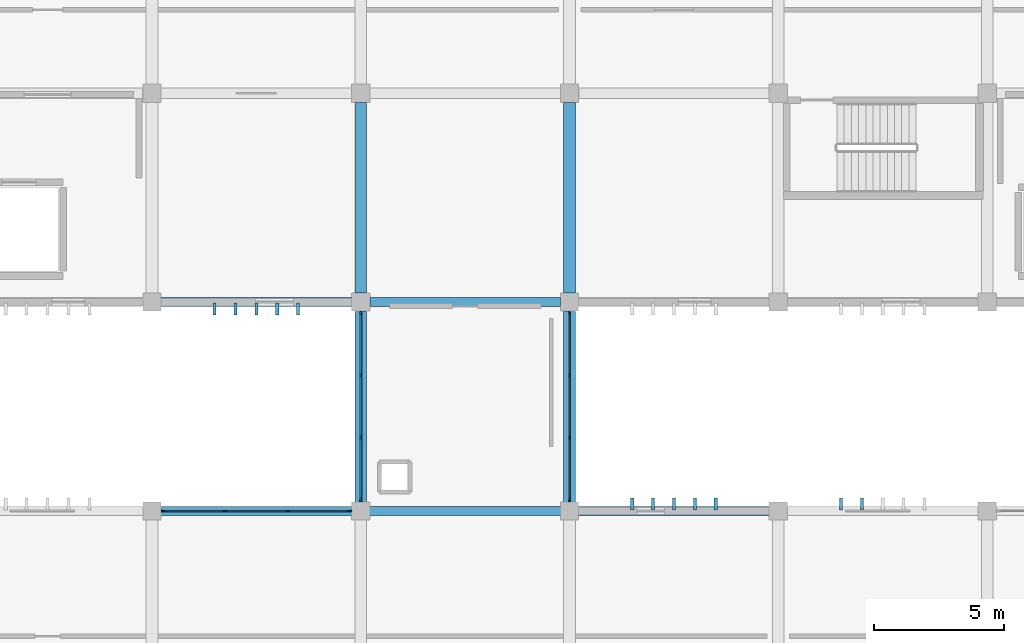
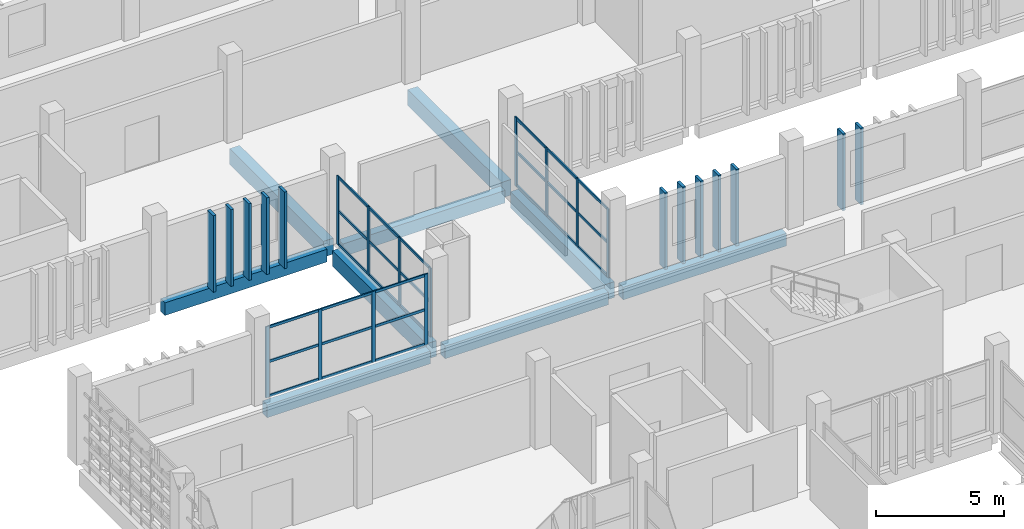
# One storey, part 60 of 137: 51 members, 9 beams, 3 elements without a shape of their own.
"""IFC4 building model written with IfcOpenShell, lengths in metres."""

from ifc_helpers import new_model, si_unit, direction, frame, origin, origin_2d, place, context, subcontext, project, spatial, rectangle, extrude, material, layer, layer_set, material_profile, profile_set, type_object, element, aggregate, save


model = new_model("IFC4")

# Units and contexts
model_context = context("Model", 3, precision=1e-05, world=origin(), true_north=direction((0.0, 1.0)))
body_context = subcontext(model_context, "Body", "Model", "MODEL_VIEW")
ifc_project = project(units=[si_unit("LENGTHUNIT", "METRE"), si_unit("AREAUNIT", "SQUARE_METRE"), si_unit("VOLUMEUNIT", "CUBIC_METRE"), si_unit("PLANEANGLEUNIT", "RADIAN"), si_unit("MASSUNIT", "GRAM", prefix="KILO")], contexts=[model_context])

# Site, building, storey
site_placement = place(None, origin())
site = spatial("IfcSite", under=ifc_project, at=site_placement, CompositionType="ELEMENT")
building_placement = place(site_placement, origin())
building = spatial("IfcBuilding", under=site, at=building_placement, Name="Jelvoka-Kovrelna Polytechnic", CompositionType="ELEMENT")
storey_placement = place(building_placement, frame((0.0, 0.0, 9.60009765625)))
storey = spatial("IfcBuildingStorey", under=building, at=storey_placement, Name="L03", CompositionType="ELEMENT", Elevation=9.60009765625)

# Beams
ifc_material_1 = material(Name="Concrete C40/50", Category="concrete")
ifc_material_profile_1 = material_profile(ifc_material_1, rectangle(XDim=0.449951171875, YDim=0.75, at=origin_2d()), Name="RC 450x750")
ifc_profile_set_1 = profile_set([ifc_material_profile_1], Name="Concrete C40/50")
beam_type_1 = type_object("IfcBeamType", Name="Beam_RC_450x750", PredefinedType="BEAM", material=ifc_profile_set_1)
for number, where, z_axis, x_axis, name in (
    (1, (144.0, 56.35498046875, -0.64013671875), (0.0, 1.0, 0.0), (-1.0, 0.0, 0.0), "L03 beam 1074"),
    (2, (152.0, 56.35498046875, -0.64013671875), (0.0, 1.0, 0.0), (-1.0, 0.0, 0.0), "L03 beam 1076"),
):
    element("IfcBeam", number, at=place(storey_placement, frame(where, z_axis=z_axis, x_axis=x_axis)), inside=storey, type_object=beam_type_1, Name=name, PredefinedType="BEAM", context=body_context, shape_type="SweptSolid", body=[
        extrude(rectangle(XDim=0.449951171875, YDim=0.75, at=origin_2d()), origin(), (0.0, 0.0, 1.0), 7.2900390625),
    ])
for number, where, z_axis, x_axis, name in (
    (3, (144.0, 48.330078125, -0.64013671875), (0.0, 1.0, 0.0), (-1.0, 0.0, 0.0), "L03 beam 1110"),
    (4, (152.0, 48.330078125, -0.64013671875), (0.0, 1.0, 0.0), (-1.0, 0.0, 0.0), "L03 beam 1111"),
):
    element("IfcBeam", number, at=place(storey_placement, frame(where, z_axis=z_axis, x_axis=x_axis)), inside=storey, type_object=beam_type_1, Name=name, PredefinedType="BEAM", context=body_context, shape_type="SweptSolid", body=[
        extrude(rectangle(XDim=0.449951171875, YDim=0.75, at=origin_2d()), origin(), (0.0, 0.0, 1.0), 7.31494140625),
    ])

# Members
ifc_material_2 = material(Name="Precast concrete C40/50", Category="concrete")
ifc_material_profile_2 = material_profile(ifc_material_2, rectangle(XDim=0.1201171875, YDim=0.449951171875, at=origin_2d()), Name="PC 120x450")
ifc_profile_set_2 = profile_set([ifc_material_profile_2], Name="Precast concrete C40/50")
member_type_1 = type_object("IfcMemberType", Name="Louvre_Fin_120x450", PredefinedType="USERDEFINED", material=ifc_profile_set_2)
for number, where, z_axis, x_axis, name in (
    (5, (154.39990234375, 48.264892578125, -0.27001953125), (0.0, 0.0, 1.0), (1.0, 0.0, 0.0), "L03 B2E north vertical solar louvre fin 0956"),
    (6, (155.199951171875, 48.264892578125, -0.27001953125), (0.0, 0.0, 1.0), (1.0, 0.0, 0.0), "L03 B2E north vertical solar louvre fin 0957"),
    (7, (156.0, 48.264892578125, -0.27001953125), (0.0, 0.0, 1.0), (1.0, 0.0, 0.0), "L03 B2E north vertical solar louvre fin 0958"),
    (8, (156.800048828125, 48.264892578125, -0.27001953125), (0.0, 0.0, 1.0), (1.0, 0.0, 0.0), "L03 B2E north vertical solar louvre fin 0959"),
    (9, (157.60009765625, 48.264892578125, -0.27001953125), (0.0, 0.0, 1.0), (1.0, 0.0, 0.0), "L03 B2E north vertical solar louvre fin 0960"),
    (10, (162.39990234375, 48.264892578125, -0.27001953125), (0.0, 0.0, 1.0), (1.0, 0.0, 0.0), "L03 B2E north vertical solar louvre fin 0961"),
    (11, (163.199951171875, 48.264892578125, -0.27001953125), (0.0, 0.0, 1.0), (1.0, 0.0, 0.0), "L03 B2E north vertical solar louvre fin 0962"),
    (12, (138.39990234375, 55.735107421875, -0.27001953125), (0.0, 0.0, 1.0), (1.0, 0.0, 0.0), "L03 B3 south vertical solar louvre fin 1556"),
    (13, (139.199951171875, 55.735107421875, -0.27001953125), (0.0, 0.0, 1.0), (1.0, 0.0, 0.0), "L03 B3 south vertical solar louvre fin 1557"),
    (14, (140.0, 55.735107421875, -0.27001953125), (0.0, 0.0, 1.0), (1.0, 0.0, 0.0), "L03 B3 south vertical solar louvre fin 1558"),
    (15, (140.800048828125, 55.735107421875, -0.27001953125), (0.0, 0.0, 1.0), (1.0, 0.0, 0.0), "L03 B3 south vertical solar louvre fin 1559"),
    (16, (141.60009765625, 55.735107421875, -0.27001953125), (0.0, 0.0, 1.0), (1.0, 0.0, 0.0), "L03 B3 south vertical solar louvre fin 1560"),
):
    element("IfcMember", number, at=place(storey_placement, frame(where, z_axis=z_axis, x_axis=x_axis)), inside=storey, type_object=member_type_1, Name=name, ObjectType="SUNSHADE", PredefinedType="USERDEFINED", context=body_context, shape_type="SweptSolid", body=[
        extrude(rectangle(XDim=0.1201171875, YDim=0.449951171875, at=origin_2d()), origin(), (0.0, 0.0, 1.0), 3.64501953125),
    ])

# Curtain wall, members
ifc_material_3 = material(Name="Anodised aluminium 6063-T6", Category="aluminium")
ifc_layer_1 = layer(ifc_material_3, 0.159912109375)
ifc_layer_set_1 = layer_set([ifc_layer_1], Name="Anodised aluminium 6063-T6")
curtain_wall_type_1 = type_object("IfcCurtainWallType", Name="CW_Recessed_A", PredefinedType="NOTDEFINED", material=ifc_layer_set_1)
curtain_wall_1_placement = place(storey_placement, origin())
curtain_wall_1 = element("IfcCurtainWall", 17, at=curtain_wall_1_placement, inside=storey, type_object=curtain_wall_type_1, Name="L03 glazed curtain wall 055", PredefinedType="NOTDEFINED")
ifc_material_4 = material(Name="Anodised aluminium 6063-T6", Category="aluminium")
ifc_material_profile_3 = material_profile(ifc_material_4, rectangle(XDim=0.06005859375, YDim=0.159912109375, at=origin_2d()), Name="ALU 60x160")
ifc_profile_set_3 = profile_set([ifc_material_profile_3], Name="Anodised aluminium 6063-T6")
member_type_2 = type_object("IfcMemberType", Name="Mullion_M-01", PredefinedType="MULLION", material=ifc_profile_set_3)
member_1_placement = place(storey_placement, frame((136.429931640625, 48.0, -0.02490234375), z_axis=(0.0, 0.0, 1.0), x_axis=(0.0, 1.0, 0.0)))
member_1 = element("IfcMember", 18, at=member_1_placement, type_object=member_type_2, Name="CW-01 mullion 1", PredefinedType="MULLION", context=body_context, shape_type="SweptSolid", body=[
    extrude(rectangle(XDim=0.06005859375, YDim=0.159912109375, at=origin_2d()), origin(), (0.0, 0.0, 1.0), 3.375),
])
member_2_placement = place(storey_placement, frame((138.800048828125, 48.0, -0.02490234375), z_axis=(0.0, 0.0, 1.0), x_axis=(0.0, 1.0, 0.0)))
member_2 = element("IfcMember", 19, at=member_2_placement, type_object=member_type_2, Name="CW-01 mullion 2", PredefinedType="MULLION", context=body_context, shape_type="SweptSolid", body=[
    extrude(rectangle(XDim=0.06005859375, YDim=0.159912109375, at=origin_2d()), origin(), (0.0, 0.0, 1.0), 3.375),
])
member_3_placement = place(storey_placement, frame((141.199951171875, 48.0, -0.02490234375), z_axis=(0.0, 0.0, 1.0), x_axis=(0.0, 1.0, 0.0)))
member_3 = element("IfcMember", 20, at=member_3_placement, type_object=member_type_2, Name="CW-01 mullion 3", PredefinedType="MULLION", context=body_context, shape_type="SweptSolid", body=[
    extrude(rectangle(XDim=0.06005859375, YDim=0.159912109375, at=origin_2d()), origin(), (0.0, 0.0, 1.0), 3.375),
])
member_4_placement = place(storey_placement, frame((143.570068359375, 48.0, -0.02490234375), z_axis=(0.0, 0.0, 1.0), x_axis=(0.0, 1.0, 0.0)))
member_4 = element("IfcMember", 21, at=member_4_placement, type_object=member_type_2, Name="CW-01 mullion 4", PredefinedType="MULLION", context=body_context, shape_type="SweptSolid", body=[
    extrude(rectangle(XDim=0.06005859375, YDim=0.159912109375, at=origin_2d()), origin(), (0.0, 0.0, 1.0), 3.375),
])

ifc_material_5 = material(Name="Anodised aluminium 6063-T6", Category="aluminium")
ifc_layer_2 = layer(ifc_material_5, 0.159912109375)
ifc_layer_set_2 = layer_set([ifc_layer_2], Name="Anodised aluminium 6063-T6")
curtain_wall_type_2 = type_object("IfcCurtainWallType", Name="CW_LinkBridge", PredefinedType="NOTDEFINED", material=ifc_layer_set_2)
curtain_wall_2_placement = place(storey_placement, origin())
curtain_wall_2 = element("IfcCurtainWall", 22, at=curtain_wall_2_placement, inside=storey, type_object=curtain_wall_type_2, Name="L03 glazed curtain wall 120", PredefinedType="NOTDEFINED")
ifc_material_6 = material(Name="Anodised aluminium 6063-T6", Category="aluminium")
ifc_material_profile_4 = material_profile(ifc_material_6, rectangle(XDim=0.06005859375, YDim=0.159912109375, at=origin_2d()), Name="ALU 60x160")
ifc_profile_set_4 = profile_set([ifc_material_profile_4], Name="Anodised aluminium 6063-T6")
member_type_3 = type_object("IfcMemberType", Name="Mullion_M-04", PredefinedType="MULLION", material=ifc_profile_set_4)
member_5_placement = place(storey_placement, frame((144.0, 48.429931640625, -0.02490234375), z_axis=(0.0, 0.0, 1.0), x_axis=(-1.0, 0.0, 0.0)))
member_5 = element("IfcMember", 23, at=member_5_placement, type_object=member_type_3, Name="CW-04 mullion 1", PredefinedType="MULLION", context=body_context, shape_type="SweptSolid", body=[
    extrude(rectangle(XDim=0.06005859375, YDim=0.159912109375, at=origin_2d()), origin(), (0.0, 0.0, 1.0), 3.27490234375),
])
member_6_placement = place(storey_placement, frame((144.0, 50.800048828125, -0.02490234375), z_axis=(0.0, 0.0, 1.0), x_axis=(-1.0, 0.0, 0.0)))
member_6 = element("IfcMember", 24, at=member_6_placement, type_object=member_type_3, Name="CW-04 mullion 2", PredefinedType="MULLION", context=body_context, shape_type="SweptSolid", body=[
    extrude(rectangle(XDim=0.06005859375, YDim=0.159912109375, at=origin_2d()), origin(), (0.0, 0.0, 1.0), 3.27490234375),
])
member_7_placement = place(storey_placement, frame((144.0, 53.199951171875, -0.02490234375), z_axis=(0.0, 0.0, 1.0), x_axis=(-1.0, 0.0, 0.0)))
member_7 = element("IfcMember", 25, at=member_7_placement, type_object=member_type_3, Name="CW-04 mullion 3", PredefinedType="MULLION", context=body_context, shape_type="SweptSolid", body=[
    extrude(rectangle(XDim=0.06005859375, YDim=0.159912109375, at=origin_2d()), origin(), (0.0, 0.0, 1.0), 3.27490234375),
])
member_8_placement = place(storey_placement, frame((144.0, 55.570068359375, -0.02490234375), z_axis=(0.0, 0.0, 1.0), x_axis=(-1.0, 0.0, 0.0)))
member_8 = element("IfcMember", 26, at=member_8_placement, type_object=member_type_3, Name="CW-04 mullion 4", PredefinedType="MULLION", context=body_context, shape_type="SweptSolid", body=[
    extrude(rectangle(XDim=0.06005859375, YDim=0.159912109375, at=origin_2d()), origin(), (0.0, 0.0, 1.0), 3.27490234375),
])

curtain_wall_3_placement = place(storey_placement, origin())
curtain_wall_3 = element("IfcCurtainWall", 27, at=curtain_wall_3_placement, inside=storey, type_object=curtain_wall_type_2, Name="L03 glazed curtain wall 121", PredefinedType="NOTDEFINED")
member_9_placement = place(storey_placement, frame((152.0, 55.570068359375, -0.02490234375), z_axis=(0.0, 0.0, 1.0), x_axis=(1.0, 0.0, 0.0)))
member_9 = element("IfcMember", 28, at=member_9_placement, type_object=member_type_3, Name="CW-04 mullion 1", PredefinedType="MULLION", context=body_context, shape_type="SweptSolid", body=[
    extrude(rectangle(XDim=0.06005859375, YDim=0.159912109375, at=origin_2d()), origin(), (0.0, 0.0, 1.0), 3.27490234375),
])
member_10_placement = place(storey_placement, frame((152.0, 53.199951171875, -0.02490234375), z_axis=(0.0, 0.0, 1.0), x_axis=(1.0, 0.0, 0.0)))
member_10 = element("IfcMember", 29, at=member_10_placement, type_object=member_type_3, Name="CW-04 mullion 2", PredefinedType="MULLION", context=body_context, shape_type="SweptSolid", body=[
    extrude(rectangle(XDim=0.06005859375, YDim=0.159912109375, at=origin_2d()), origin(), (0.0, 0.0, 1.0), 3.27490234375),
])
member_11_placement = place(storey_placement, frame((152.0, 50.800048828125, -0.02490234375), z_axis=(0.0, 0.0, 1.0), x_axis=(1.0, 0.0, 0.0)))
member_11 = element("IfcMember", 30, at=member_11_placement, type_object=member_type_3, Name="CW-04 mullion 3", PredefinedType="MULLION", context=body_context, shape_type="SweptSolid", body=[
    extrude(rectangle(XDim=0.06005859375, YDim=0.159912109375, at=origin_2d()), origin(), (0.0, 0.0, 1.0), 3.27490234375),
])
member_12_placement = place(storey_placement, frame((152.0, 48.429931640625, -0.02490234375), z_axis=(0.0, 0.0, 1.0), x_axis=(1.0, 0.0, 0.0)))
member_12 = element("IfcMember", 31, at=member_12_placement, type_object=member_type_3, Name="CW-04 mullion 4", PredefinedType="MULLION", context=body_context, shape_type="SweptSolid", body=[
    extrude(rectangle(XDim=0.06005859375, YDim=0.159912109375, at=origin_2d()), origin(), (0.0, 0.0, 1.0), 3.27490234375),
])

# Beams
ifc_material_7 = material(Name="Concrete C40/50", Category="concrete")
ifc_material_profile_5 = material_profile(ifc_material_7, rectangle(XDim=0.35009765625, YDim=0.60009765625, at=origin_2d()), Name="RC 350x600")
ifc_profile_set_5 = profile_set([ifc_material_profile_5], Name="Concrete C40/50")
beam_type_2 = type_object("IfcBeamType", Name="Spandrel_RC_350x600", PredefinedType="SPANDREL", material=ifc_profile_set_5)
for number, where, z_axis, x_axis, name in (
    (32, (136.330078125, 48.0, -0.565185546875), (1.0, 0.0, 0.0), (0.0, 1.0, 0.0), "L03 beam 0976"),
    (33, (144.330078125, 48.0, -0.565185546875), (1.0, 0.0, 0.0), (0.0, 1.0, 0.0), "L03 beam 0977"),
    (34, (152.330078125, 48.0, -0.565185546875), (1.0, 0.0, 0.0), (0.0, 1.0, 0.0), "L03 beam 0978"),
):
    element("IfcBeam", number, at=place(storey_placement, frame(where, z_axis=z_axis, x_axis=x_axis)), inside=storey, type_object=beam_type_2, Name=name, PredefinedType="SPANDREL", context=body_context, shape_type="SweptSolid", body=[
        extrude(rectangle(XDim=0.35009765625, YDim=0.60009765625, at=origin_2d()), origin(), (0.0, 0.0, 1.0), 7.33984375),
    ])
for number, where, z_axis, x_axis, name in (
    (35, (136.35498046875, 56.0, -0.565185546875), (1.0, 0.0, 0.0), (0.0, 1.0, 0.0), "L03 beam 1043"),
    (36, (144.35498046875, 56.0, -0.565185546875), (1.0, 0.0, 0.0), (0.0, 1.0, 0.0), "L03 beam 1044"),
):
    element("IfcBeam", number, at=place(storey_placement, frame(where, z_axis=z_axis, x_axis=x_axis)), inside=storey, type_object=beam_type_2, Name=name, PredefinedType="SPANDREL", context=body_context, shape_type="SweptSolid", body=[
        extrude(rectangle(XDim=0.35009765625, YDim=0.60009765625, at=origin_2d()), origin(), (0.0, 0.0, 1.0), 7.2900390625),
    ])

# Member
ifc_material_8 = material(Name="Anodised aluminium 6063-T6", Category="aluminium")
ifc_material_profile_6 = material_profile(ifc_material_8, rectangle(XDim=0.06005859375, YDim=0.1201171875, at=origin_2d()), Name="ALU 60x120")
ifc_profile_set_6 = profile_set([ifc_material_profile_6], Name="Anodised aluminium 6063-T6")
member_type_4 = type_object("IfcMemberType", Name="Transom_T-01", PredefinedType="USERDEFINED", material=ifc_profile_set_6)
member_13_placement = place(storey_placement, frame((136.4599609375, 48.0, 0.02978515625), z_axis=(1.0, 0.0, 0.0), x_axis=(0.0, 1.0, 0.0)))
member_13 = element("IfcMember", 37, at=member_13_placement, type_object=member_type_4, Name="CW-01 transom 1.1", ObjectType="TRANSOM", PredefinedType="USERDEFINED", context=body_context, shape_type="SweptSolid", body=[
    extrude(rectangle(XDim=0.06005859375, YDim=0.1201171875, at=origin_2d()), origin(), (0.0, 0.0, 1.0), 2.31005859375),
])

member_14_placement = place(storey_placement, frame((136.4599609375, 48.0, 1.662353515625), z_axis=(1.0, 0.0, 0.0), x_axis=(0.0, 1.0, 0.0)))
member_14 = element("IfcMember", 38, at=member_14_placement, type_object=member_type_4, Name="CW-01 transom 1.2", ObjectType="TRANSOM", PredefinedType="USERDEFINED", context=body_context, shape_type="SweptSolid", body=[
    extrude(rectangle(XDim=0.06005859375, YDim=0.1201171875, at=origin_2d()), origin(), (0.0, 0.0, 1.0), 2.31005859375),
])

member_15_placement = place(storey_placement, frame((136.4599609375, 48.0, 3.294921875), z_axis=(1.0, 0.0, 0.0), x_axis=(0.0, 1.0, 0.0)))
member_15 = element("IfcMember", 39, at=member_15_placement, type_object=member_type_4, Name="CW-01 transom 1.3", ObjectType="TRANSOM", PredefinedType="USERDEFINED", context=body_context, shape_type="SweptSolid", body=[
    extrude(rectangle(XDim=0.06005859375, YDim=0.1201171875, at=origin_2d()), origin(), (0.0, 0.0, 1.0), 2.31005859375),
])

member_16_placement = place(storey_placement, frame((138.830078125, 48.0, 0.02978515625), z_axis=(1.0, 0.0, 0.0), x_axis=(0.0, 1.0, 0.0)))
member_16 = element("IfcMember", 40, at=member_16_placement, type_object=member_type_4, Name="CW-01 transom 2.1", ObjectType="TRANSOM", PredefinedType="USERDEFINED", context=body_context, shape_type="SweptSolid", body=[
    extrude(rectangle(XDim=0.06005859375, YDim=0.1201171875, at=origin_2d()), origin(), (0.0, 0.0, 1.0), 2.33984375),
])

member_17_placement = place(storey_placement, frame((138.830078125, 48.0, 1.662353515625), z_axis=(1.0, 0.0, 0.0), x_axis=(0.0, 1.0, 0.0)))
member_17 = element("IfcMember", 41, at=member_17_placement, type_object=member_type_4, Name="CW-01 transom 2.2", ObjectType="TRANSOM", PredefinedType="USERDEFINED", context=body_context, shape_type="SweptSolid", body=[
    extrude(rectangle(XDim=0.06005859375, YDim=0.1201171875, at=origin_2d()), origin(), (0.0, 0.0, 1.0), 2.33984375),
])

member_18_placement = place(storey_placement, frame((138.830078125, 48.0, 3.294921875), z_axis=(1.0, 0.0, 0.0), x_axis=(0.0, 1.0, 0.0)))
member_18 = element("IfcMember", 42, at=member_18_placement, type_object=member_type_4, Name="CW-01 transom 2.3", ObjectType="TRANSOM", PredefinedType="USERDEFINED", context=body_context, shape_type="SweptSolid", body=[
    extrude(rectangle(XDim=0.06005859375, YDim=0.1201171875, at=origin_2d()), origin(), (0.0, 0.0, 1.0), 2.33984375),
])

member_19_placement = place(storey_placement, frame((141.22998046875, 48.0, 0.02978515625), z_axis=(1.0, 0.0, 0.0), x_axis=(0.0, 1.0, 0.0)))
member_19 = element("IfcMember", 43, at=member_19_placement, type_object=member_type_4, Name="CW-01 transom 3.1", ObjectType="TRANSOM", PredefinedType="USERDEFINED", context=body_context, shape_type="SweptSolid", body=[
    extrude(rectangle(XDim=0.06005859375, YDim=0.1201171875, at=origin_2d()), origin(), (0.0, 0.0, 1.0), 2.31005859375),
])

member_20_placement = place(storey_placement, frame((141.22998046875, 48.0, 1.662353515625), z_axis=(1.0, 0.0, 0.0), x_axis=(0.0, 1.0, 0.0)))
member_20 = element("IfcMember", 44, at=member_20_placement, type_object=member_type_4, Name="CW-01 transom 3.2", ObjectType="TRANSOM", PredefinedType="USERDEFINED", context=body_context, shape_type="SweptSolid", body=[
    extrude(rectangle(XDim=0.06005859375, YDim=0.1201171875, at=origin_2d()), origin(), (0.0, 0.0, 1.0), 2.31005859375),
])

member_21_placement = place(storey_placement, frame((141.22998046875, 48.0, 3.294921875), z_axis=(1.0, 0.0, 0.0), x_axis=(0.0, 1.0, 0.0)))
member_21 = element("IfcMember", 45, at=member_21_placement, type_object=member_type_4, Name="CW-01 transom 3.3", ObjectType="TRANSOM", PredefinedType="USERDEFINED", context=body_context, shape_type="SweptSolid", body=[
    extrude(rectangle(XDim=0.06005859375, YDim=0.1201171875, at=origin_2d()), origin(), (0.0, 0.0, 1.0), 2.31005859375),
])

aggregate(curtain_wall_1, [member_1, member_2, member_3, member_4, member_13, member_14, member_15, member_16, member_17, member_18, member_19, member_20, member_21])

ifc_material_9 = material(Name="Anodised aluminium 6063-T6", Category="aluminium")
ifc_material_profile_7 = material_profile(ifc_material_9, rectangle(XDim=0.06005859375, YDim=0.1201171875, at=origin_2d()), Name="ALU 60x120")
ifc_profile_set_7 = profile_set([ifc_material_profile_7], Name="Anodised aluminium 6063-T6")
member_type_5 = type_object("IfcMemberType", Name="Transom_T-04", PredefinedType="USERDEFINED", material=ifc_profile_set_7)
member_22_placement = place(storey_placement, frame((144.0, 48.4599609375, 0.02978515625), z_axis=(0.0, 1.0, 0.0), x_axis=(-1.0, 0.0, 0.0)))
member_22 = element("IfcMember", 46, at=member_22_placement, type_object=member_type_5, Name="CW-04 transom 1.1", ObjectType="TRANSOM", PredefinedType="USERDEFINED", context=body_context, shape_type="SweptSolid", body=[
    extrude(rectangle(XDim=0.06005859375, YDim=0.1201171875, at=origin_2d()), origin(), (0.0, 0.0, 1.0), 2.31005859375),
])

member_23_placement = place(storey_placement, frame((144.0, 48.4599609375, 1.6123046875), z_axis=(0.0, 1.0, 0.0), x_axis=(-1.0, 0.0, 0.0)))
member_23 = element("IfcMember", 47, at=member_23_placement, type_object=member_type_5, Name="CW-04 transom 1.2", ObjectType="TRANSOM", PredefinedType="USERDEFINED", context=body_context, shape_type="SweptSolid", body=[
    extrude(rectangle(XDim=0.06005859375, YDim=0.1201171875, at=origin_2d()), origin(), (0.0, 0.0, 1.0), 2.31005859375),
])

member_24_placement = place(storey_placement, frame((144.0, 48.4599609375, 3.19482421875), z_axis=(0.0, 1.0, 0.0), x_axis=(-1.0, 0.0, 0.0)))
member_24 = element("IfcMember", 48, at=member_24_placement, type_object=member_type_5, Name="CW-04 transom 1.3", ObjectType="TRANSOM", PredefinedType="USERDEFINED", context=body_context, shape_type="SweptSolid", body=[
    extrude(rectangle(XDim=0.06005859375, YDim=0.1201171875, at=origin_2d()), origin(), (0.0, 0.0, 1.0), 2.31005859375),
])

member_25_placement = place(storey_placement, frame((144.0, 50.830078125, 0.02978515625), z_axis=(0.0, 1.0, 0.0), x_axis=(-1.0, 0.0, 0.0)))
member_25 = element("IfcMember", 49, at=member_25_placement, type_object=member_type_5, Name="CW-04 transom 2.1", ObjectType="TRANSOM", PredefinedType="USERDEFINED", context=body_context, shape_type="SweptSolid", body=[
    extrude(rectangle(XDim=0.06005859375, YDim=0.1201171875, at=origin_2d()), origin(), (0.0, 0.0, 1.0), 2.33984375),
])

member_26_placement = place(storey_placement, frame((144.0, 50.830078125, 1.6123046875), z_axis=(0.0, 1.0, 0.0), x_axis=(-1.0, 0.0, 0.0)))
member_26 = element("IfcMember", 50, at=member_26_placement, type_object=member_type_5, Name="CW-04 transom 2.2", ObjectType="TRANSOM", PredefinedType="USERDEFINED", context=body_context, shape_type="SweptSolid", body=[
    extrude(rectangle(XDim=0.06005859375, YDim=0.1201171875, at=origin_2d()), origin(), (0.0, 0.0, 1.0), 2.33984375),
])

member_27_placement = place(storey_placement, frame((144.0, 50.830078125, 3.19482421875), z_axis=(0.0, 1.0, 0.0), x_axis=(-1.0, 0.0, 0.0)))
member_27 = element("IfcMember", 51, at=member_27_placement, type_object=member_type_5, Name="CW-04 transom 2.3", ObjectType="TRANSOM", PredefinedType="USERDEFINED", context=body_context, shape_type="SweptSolid", body=[
    extrude(rectangle(XDim=0.06005859375, YDim=0.1201171875, at=origin_2d()), origin(), (0.0, 0.0, 1.0), 2.33984375),
])

member_28_placement = place(storey_placement, frame((144.0, 53.22998046875, 0.02978515625), z_axis=(0.0, 1.0, 0.0), x_axis=(-1.0, 0.0, 0.0)))
member_28 = element("IfcMember", 52, at=member_28_placement, type_object=member_type_5, Name="CW-04 transom 3.1", ObjectType="TRANSOM", PredefinedType="USERDEFINED", context=body_context, shape_type="SweptSolid", body=[
    extrude(rectangle(XDim=0.06005859375, YDim=0.1201171875, at=origin_2d()), origin(), (0.0, 0.0, 1.0), 2.31005859375),
])

member_29_placement = place(storey_placement, frame((144.0, 53.22998046875, 1.6123046875), z_axis=(0.0, 1.0, 0.0), x_axis=(-1.0, 0.0, 0.0)))
member_29 = element("IfcMember", 53, at=member_29_placement, type_object=member_type_5, Name="CW-04 transom 3.2", ObjectType="TRANSOM", PredefinedType="USERDEFINED", context=body_context, shape_type="SweptSolid", body=[
    extrude(rectangle(XDim=0.06005859375, YDim=0.1201171875, at=origin_2d()), origin(), (0.0, 0.0, 1.0), 2.31005859375),
])

member_30_placement = place(storey_placement, frame((144.0, 53.22998046875, 3.19482421875), z_axis=(0.0, 1.0, 0.0), x_axis=(-1.0, 0.0, 0.0)))
member_30 = element("IfcMember", 54, at=member_30_placement, type_object=member_type_5, Name="CW-04 transom 3.3", ObjectType="TRANSOM", PredefinedType="USERDEFINED", context=body_context, shape_type="SweptSolid", body=[
    extrude(rectangle(XDim=0.06005859375, YDim=0.1201171875, at=origin_2d()), origin(), (0.0, 0.0, 1.0), 2.31005859375),
])

aggregate(curtain_wall_2, [member_5, member_6, member_7, member_8, member_22, member_23, member_24, member_25, member_26, member_27, member_28, member_29, member_30])

member_31_placement = place(storey_placement, frame((152.0, 55.5400390625, 0.02978515625), z_axis=(0.0, -1.0, 0.0), x_axis=(1.0, 0.0, 0.0)))
member_31 = element("IfcMember", 55, at=member_31_placement, type_object=member_type_5, Name="CW-04 transom 1.1", ObjectType="TRANSOM", PredefinedType="USERDEFINED", context=body_context, shape_type="SweptSolid", body=[
    extrude(rectangle(XDim=0.06005859375, YDim=0.1201171875, at=origin_2d()), origin(), (0.0, 0.0, 1.0), 2.31005859375),
])

member_32_placement = place(storey_placement, frame((152.0, 55.5400390625, 1.6123046875), z_axis=(0.0, -1.0, 0.0), x_axis=(1.0, 0.0, 0.0)))
member_32 = element("IfcMember", 56, at=member_32_placement, type_object=member_type_5, Name="CW-04 transom 1.2", ObjectType="TRANSOM", PredefinedType="USERDEFINED", context=body_context, shape_type="SweptSolid", body=[
    extrude(rectangle(XDim=0.06005859375, YDim=0.1201171875, at=origin_2d()), origin(), (0.0, 0.0, 1.0), 2.31005859375),
])

member_33_placement = place(storey_placement, frame((152.0, 55.5400390625, 3.19482421875), z_axis=(0.0, -1.0, 0.0), x_axis=(1.0, 0.0, 0.0)))
member_33 = element("IfcMember", 57, at=member_33_placement, type_object=member_type_5, Name="CW-04 transom 1.3", ObjectType="TRANSOM", PredefinedType="USERDEFINED", context=body_context, shape_type="SweptSolid", body=[
    extrude(rectangle(XDim=0.06005859375, YDim=0.1201171875, at=origin_2d()), origin(), (0.0, 0.0, 1.0), 2.31005859375),
])

member_34_placement = place(storey_placement, frame((152.0, 53.169921875, 0.02978515625), z_axis=(0.0, -1.0, 0.0), x_axis=(1.0, 0.0, 0.0)))
member_34 = element("IfcMember", 58, at=member_34_placement, type_object=member_type_5, Name="CW-04 transom 2.1", ObjectType="TRANSOM", PredefinedType="USERDEFINED", context=body_context, shape_type="SweptSolid", body=[
    extrude(rectangle(XDim=0.06005859375, YDim=0.1201171875, at=origin_2d()), origin(), (0.0, 0.0, 1.0), 2.33984375),
])

member_35_placement = place(storey_placement, frame((152.0, 53.169921875, 1.6123046875), z_axis=(0.0, -1.0, 0.0), x_axis=(1.0, 0.0, 0.0)))
member_35 = element("IfcMember", 59, at=member_35_placement, type_object=member_type_5, Name="CW-04 transom 2.2", ObjectType="TRANSOM", PredefinedType="USERDEFINED", context=body_context, shape_type="SweptSolid", body=[
    extrude(rectangle(XDim=0.06005859375, YDim=0.1201171875, at=origin_2d()), origin(), (0.0, 0.0, 1.0), 2.33984375),
])

member_36_placement = place(storey_placement, frame((152.0, 53.169921875, 3.19482421875), z_axis=(0.0, -1.0, 0.0), x_axis=(1.0, 0.0, 0.0)))
member_36 = element("IfcMember", 60, at=member_36_placement, type_object=member_type_5, Name="CW-04 transom 2.3", ObjectType="TRANSOM", PredefinedType="USERDEFINED", context=body_context, shape_type="SweptSolid", body=[
    extrude(rectangle(XDim=0.06005859375, YDim=0.1201171875, at=origin_2d()), origin(), (0.0, 0.0, 1.0), 2.33984375),
])

member_37_placement = place(storey_placement, frame((152.0, 50.77001953125, 0.02978515625), z_axis=(0.0, -1.0, 0.0), x_axis=(1.0, 0.0, 0.0)))
member_37 = element("IfcMember", 61, at=member_37_placement, type_object=member_type_5, Name="CW-04 transom 3.1", ObjectType="TRANSOM", PredefinedType="USERDEFINED", context=body_context, shape_type="SweptSolid", body=[
    extrude(rectangle(XDim=0.06005859375, YDim=0.1201171875, at=origin_2d()), origin(), (0.0, 0.0, 1.0), 2.31005859375),
])

member_38_placement = place(storey_placement, frame((152.0, 50.77001953125, 1.6123046875), z_axis=(0.0, -1.0, 0.0), x_axis=(1.0, 0.0, 0.0)))
member_38 = element("IfcMember", 62, at=member_38_placement, type_object=member_type_5, Name="CW-04 transom 3.2", ObjectType="TRANSOM", PredefinedType="USERDEFINED", context=body_context, shape_type="SweptSolid", body=[
    extrude(rectangle(XDim=0.06005859375, YDim=0.1201171875, at=origin_2d()), origin(), (0.0, 0.0, 1.0), 2.31005859375),
])

member_39_placement = place(storey_placement, frame((152.0, 50.77001953125, 3.19482421875), z_axis=(0.0, -1.0, 0.0), x_axis=(1.0, 0.0, 0.0)))
member_39 = element("IfcMember", 63, at=member_39_placement, type_object=member_type_5, Name="CW-04 transom 3.3", ObjectType="TRANSOM", PredefinedType="USERDEFINED", context=body_context, shape_type="SweptSolid", body=[
    extrude(rectangle(XDim=0.06005859375, YDim=0.1201171875, at=origin_2d()), origin(), (0.0, 0.0, 1.0), 2.31005859375),
])

aggregate(curtain_wall_3, [member_9, member_10, member_11, member_12, member_31, member_32, member_33, member_34, member_35, member_36, member_37, member_38, member_39])

save(model, "model.ifc")
